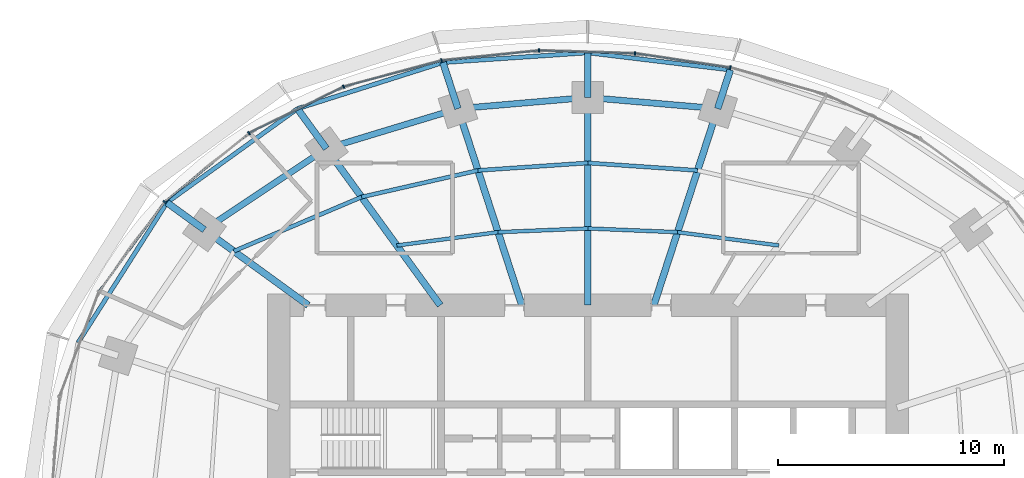
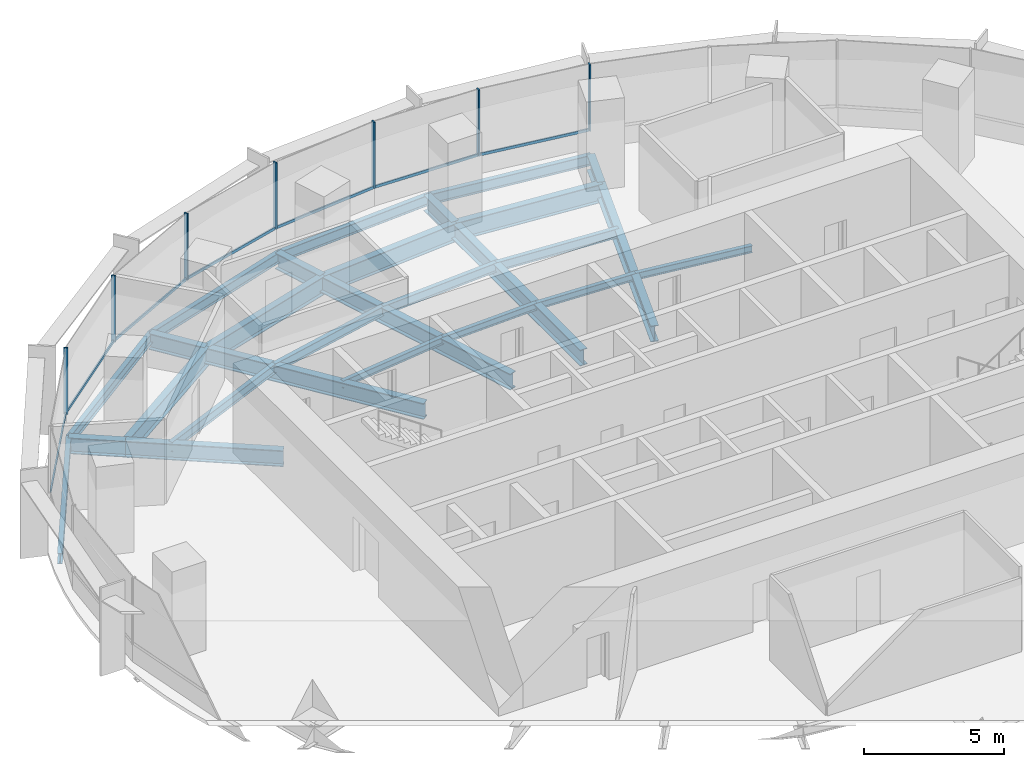
# One storey, part 7 of 14: 27 beams, 14 members, 2 elements without a shape of their own.
"""IFC4 building model written with IfcOpenShell, lengths in metres."""

from ifc_helpers import new_model, si_unit, direction, frame, origin, origin_2d, place, context, subcontext, project, spatial, rectangle, i_section, extrude, material, material_profile, profile_set, type_object, element, aggregate, save


model = new_model("IFC4")

# Units and contexts
model_context = context("Model", 3, precision=1e-05, world=origin(), true_north=direction((0.0, 1.0)))
body_context = subcontext(model_context, "Body", "Model", "MODEL_VIEW")
ifc_project = project(units=[si_unit("LENGTHUNIT", "METRE"), si_unit("AREAUNIT", "SQUARE_METRE"), si_unit("VOLUMEUNIT", "CUBIC_METRE"), si_unit("PLANEANGLEUNIT", "RADIAN"), si_unit("MASSUNIT", "GRAM", prefix="KILO")], contexts=[model_context])

# Site, building, storey
site_placement = place(None, origin())
site = spatial("IfcSite", under=ifc_project, at=site_placement, CompositionType="ELEMENT")
building_placement = place(site_placement, origin())
building = spatial("IfcBuilding", under=site, at=building_placement, Name="Marramba Exchange Tower", CompositionType="ELEMENT")
storey_placement = place(building_placement, frame((0.0, 0.0, 242.300048828125)))
storey = spatial("IfcBuildingStorey", under=building, at=storey_placement, Name="L59", CompositionType="ELEMENT", Elevation=242.300048828125)

# Beams
ifc_material_1 = material(Name="Steel AS/NZS 3679.2 grade 300", Category="steel")
ifc_material_profile_1 = material_profile(ifc_material_1, i_section(OverallWidth=0.300048828125, OverallDepth=0.699951171875, WebThickness=0.010009765625, FlangeThickness=0.031982421875, at=origin_2d()), Name="700WB173")
ifc_profile_set_1 = profile_set([ifc_material_profile_1], Name="Steel AS/NZS 3679.2 grade 300")
beam_type_1 = type_object("IfcBeamType", Name="Cantilever girder 700WB173", PredefinedType="BEAM", material=ifc_profile_set_1)
beam_1_placement = place(storey_placement, frame((5.75390625, 17.70849609375, -0.510009765625), z_axis=(0.308960771946, 0.951074782232, 0.0), x_axis=(-0.951074782232, 0.308960771946, 0.0)))
element("IfcBeam", 1, at=beam_1_placement, inside=storey, type_object=beam_type_1, Name="Cantilever girder L59 TC05", PredefinedType="BEAM", context=body_context, shape_type="SweptSolid", body=[
    extrude(i_section(OverallWidth=0.300048828125, OverallDepth=0.699951171875, WebThickness=0.010009765625, FlangeThickness=0.031982421875, at=origin_2d()), origin(), (0.0, 0.0, 1.0), 1.806396484375),
])
beam_2_placement = place(storey_placement, frame((0.0, 18.2041015625, -0.510009765625), z_axis=(0.0, 1.0, 0.0), x_axis=(-1.0, 0.0, 0.0)))
element("IfcBeam", 2, at=beam_2_placement, inside=storey, type_object=beam_type_1, Name="Cantilever girder L59 TC06", PredefinedType="BEAM", context=body_context, shape_type="SweptSolid", body=[
    extrude(i_section(OverallWidth=0.300048828125, OverallDepth=0.699951171875, WebThickness=0.010009765625, FlangeThickness=0.031982421875, at=origin_2d()), origin(), (0.0, 0.0, 1.0), 1.982177734375),
])
beam_3_placement = place(storey_placement, frame((-5.75390625, 17.70849609375, -0.510009765625), z_axis=(-0.308998798068, 0.951062428441, 0.0), x_axis=(-0.951062428441, -0.308998798068, 0.0)))
element("IfcBeam", 3, at=beam_3_placement, inside=storey, type_object=beam_type_1, Name="Cantilever girder L59 TC07", PredefinedType="BEAM", context=body_context, shape_type="SweptSolid", body=[
    extrude(i_section(OverallWidth=0.300048828125, OverallDepth=0.699951171875, WebThickness=0.010009765625, FlangeThickness=0.031982421875, at=origin_2d()), origin(), (0.0, 0.0, 1.0), 2.150634765625),
])
beam_4_placement = place(storey_placement, frame((-11.581298828125, 15.9404296875, -0.510009765625), z_axis=(-0.587832433352, 0.808982713226, 0.0), x_axis=(-0.808982713226, -0.587832433352, 0.0)))
element("IfcBeam", 4, at=beam_4_placement, inside=storey, type_object=beam_type_1, Name="Cantilever girder L59 TC08", PredefinedType="BEAM", context=body_context, shape_type="SweptSolid", body=[
    extrude(i_section(OverallWidth=0.300048828125, OverallDepth=0.699951171875, WebThickness=0.010009765625, FlangeThickness=0.031982421875, at=origin_2d()), origin(), (0.0, 0.0, 1.0), 2.1826171875),
])
beam_5_placement = place(storey_placement, frame((-16.98583984375, 12.3408203125, -0.510009765625), z_axis=(-0.808962446125, 0.587860324192, 0.0), x_axis=(-0.587860324192, -0.808962446125, 0.0)))
element("IfcBeam", 5, at=beam_5_placement, inside=storey, type_object=beam_type_1, Name="Cantilever girder L59 TC09", PredefinedType="BEAM", context=body_context, shape_type="SweptSolid", body=[
    extrude(i_section(OverallWidth=0.300048828125, OverallDepth=0.699951171875, WebThickness=0.010009765625, FlangeThickness=0.031982421875, at=origin_2d()), origin(), (0.0, 0.0, 1.0), 2.051513671875),
])
ifc_material_2 = material(Name="Steel AS/NZS 3679.1 grade 300", Category="steel")
ifc_material_profile_2 = material_profile(ifc_material_2, i_section(OverallWidth=0.166015625, OverallDepth=0.306884765625, WebThickness=0.006591796875, FlangeThickness=0.01171875, FilletRadius=0.011474609375, at=origin_2d()), Name="310UB46.2")
ifc_profile_set_2 = profile_set([ifc_material_profile_2], Name="Steel AS/NZS 3679.1 grade 300")
beam_type_2 = type_object("IfcBeamType", Name="Floor joist 310UB46.2", PredefinedType="JOIST", material=ifc_profile_set_2)
beam_6_placement = place(storey_placement, frame((8.4619140625, 11.646728515625, -0.3134765625), z_axis=(-0.991480538255, 0.130254912618, 0.0), x_axis=(-0.130254912618, -0.991480538255, 0.0)))
element("IfcBeam", 6, at=beam_6_placement, inside=storey, type_object=beam_type_2, Name="Joist L59 bay 04 row 1", PredefinedType="JOIST", context=body_context, shape_type="SweptSolid", body=[
    extrude(i_section(OverallWidth=0.166015625, OverallDepth=0.306884765625, WebThickness=0.006591796875, FlangeThickness=0.01171875, FilletRadius=0.011474609375, at=origin_2d()), origin(), (0.0, 0.0, 1.0), 4.524658203125),
])
for number, where, z_axis, x_axis, name in (
    (7, (3.975830078125, 12.236083984375, -0.3134765625), (-0.999137002892, 0.041536122257, 0.0), (-0.041536122257, -0.999137002892, 0.0), "Joist L59 bay 05 row 1"),
    (8, (0.0, 12.4013671875, -0.3134765625), (-0.999137002892, -0.041536122257, 0.0), (0.041536122257, -0.999137002892, 0.0), "Joist L59 bay 06 row 1"),
):
    element("IfcBeam", number, at=place(storey_placement, frame(where, z_axis=z_axis, x_axis=x_axis)), inside=storey, type_object=beam_type_2, Name=name, PredefinedType="JOIST", context=body_context, shape_type="SweptSolid", body=[
        extrude(i_section(OverallWidth=0.166015625, OverallDepth=0.306884765625, WebThickness=0.006591796875, FlangeThickness=0.01171875, FilletRadius=0.011474609375, at=origin_2d()), origin(), (0.0, 0.0, 1.0), 3.979248046875),
    ])
beam_7_placement = place(storey_placement, frame((-3.975830078125, 12.236083984375, -0.3134765625), z_axis=(-0.991480538255, -0.130254912618, 0.0), x_axis=(0.130254912618, -0.991480538255, 0.0)))
element("IfcBeam", 9, at=beam_7_placement, inside=storey, type_object=beam_type_2, Name="Joist L59 bay 07 row 1", PredefinedType="JOIST", context=body_context, shape_type="SweptSolid", body=[
    extrude(i_section(OverallWidth=0.166015625, OverallDepth=0.306884765625, WebThickness=0.006591796875, FlangeThickness=0.01171875, FilletRadius=0.011474609375, at=origin_2d()), origin(), (0.0, 0.0, 1.0), 4.524658203125),
])
ifc_material_profile_3 = material_profile(ifc_material_2, i_section(OverallWidth=0.177978515625, OverallDepth=0.406005859375, WebThickness=0.0078125, FlangeThickness=0.0126953125, FilletRadius=0.011474609375, at=origin_2d()), Name="410UB59.7")
ifc_profile_set_3 = profile_set([ifc_material_profile_3], Name="Steel AS/NZS 3679.1 grade 300")
beam_type_3 = type_object("IfcBeamType", Name="Floor joist 410UB59.7", PredefinedType="JOIST", material=ifc_profile_set_3)
for number, where, z_axis, x_axis, name in (
    (10, (4.86474609375, 14.972412109375, -0.363037109375), (-0.997702652202, 0.067745241816, 0.0), (-0.067745241816, -0.997702652202, 0.0), "Joist L59 bay 05 row 2"),
    (11, (0.0, 15.302734375, -0.363037109375), (-0.997702652202, -0.067745241816, 0.0), (0.067745241816, -0.997702652202, 0.0), "Joist L59 bay 06 row 2"),
):
    element("IfcBeam", number, at=place(storey_placement, frame(where, z_axis=z_axis, x_axis=x_axis)), inside=storey, type_object=beam_type_3, Name=name, PredefinedType="JOIST", context=body_context, shape_type="SweptSolid", body=[
        extrude(i_section(OverallWidth=0.177978515625, OverallDepth=0.406005859375, WebThickness=0.0078125, FlangeThickness=0.0126953125, FilletRadius=0.011474609375, at=origin_2d()), origin(), (0.0, 0.0, 1.0), 4.8759765625),
    ])
beam_8_placement = place(storey_placement, frame((-4.86474609375, 14.972412109375, -0.363037109375), z_axis=(-0.974859652292, -0.222819788916, 0.0), x_axis=(0.222819788916, -0.974859652292, 0.0)))
element("IfcBeam", 12, at=beam_8_placement, inside=storey, type_object=beam_type_3, Name="Joist L59 bay 07 row 2", PredefinedType="JOIST", context=body_context, shape_type="SweptSolid", body=[
    extrude(i_section(OverallWidth=0.177978515625, OverallDepth=0.406005859375, WebThickness=0.0078125, FlangeThickness=0.0126953125, FilletRadius=0.011474609375, at=origin_2d()), origin(), (0.0, 0.0, 1.0), 5.2900390625),
])
beam_9_placement = place(storey_placement, frame((-10.021728515625, 13.793701171875, -0.363037109375), z_axis=(-0.920674336375, -0.390331610738, 0.0), x_axis=(0.390331610738, -0.920674336375, 0.0)))
element("IfcBeam", 13, at=beam_9_placement, inside=storey, type_object=beam_type_3, Name="Joist L59 bay 08 row 2", PredefinedType="JOIST", context=body_context, shape_type="SweptSolid", body=[
    extrude(i_section(OverallWidth=0.177978515625, OverallDepth=0.406005859375, WebThickness=0.0078125, FlangeThickness=0.0126953125, FilletRadius=0.011474609375, at=origin_2d()), origin(), (0.0, 0.0, 1.0), 6.1484375),
])

# Curtain wall, members
ifc_material_3 = material(Name="Aluminium framing, bronze anodised", Category="aluminium")
curtain_wall_type = type_object("IfcCurtainWallType", Name="Office ribbon curtain wall", PredefinedType="USERDEFINED", material=ifc_material_3)
curtain_wall_1_placement = place(storey_placement, origin())
curtain_wall_1 = element("IfcCurtainWall", 14, at=curtain_wall_1_placement, inside=storey, type_object=curtain_wall_type, Name="Curtain wall CW4 L59 F06-F10", ObjectType="RIBBON CURTAIN WALL", PredefinedType="USERDEFINED")
ifc_material_4 = material(Name="Aluminium mullion, bronze anodised", Category="aluminium")
ifc_material_profile_4 = material_profile(ifc_material_4, rectangle(XDim=0.159912109375, YDim=0.06005859375, at=origin_2d()), Name="CW4 mullion 60x160")
ifc_profile_set_4 = profile_set([ifc_material_profile_4], Name="Aluminium mullion, bronze anodised")
member_type_1 = type_object("IfcMemberType", Name="Office ribbon curtain wall mullion", PredefinedType="MULLION", material=ifc_profile_set_4)
member_1_placement = place(storey_placement, frame((6.313232421875, 19.526123046875, 0.800048828125), z_axis=(0.0, 0.0, 1.0), x_axis=(-0.148794988635, -0.988868065698, 0.0)))
member_1 = element("IfcMember", 15, at=member_1_placement, type_object=member_type_1, Name="CW4 mullion 1", PredefinedType="MULLION", context=body_context, shape_type="SweptSolid", body=[
    extrude(rectangle(XDim=0.159912109375, YDim=0.06005859375, at=origin_2d()), origin(), (0.0, 0.0, 1.0), 2.89990234375),
])
member_2_placement = place(storey_placement, frame((2.088623046875, 20.158203125, 0.800048828125), z_axis=(0.0, 0.0, 1.0), x_axis=(-0.03039385249, -0.999538000143, 0.0)))
member_2 = element("IfcMember", 16, at=member_2_placement, type_object=member_type_1, Name="CW4 mullion 1", PredefinedType="MULLION", context=body_context, shape_type="SweptSolid", body=[
    extrude(rectangle(XDim=0.159912109375, YDim=0.06005859375, at=origin_2d()), origin(), (0.0, 0.0, 1.0), 2.89990234375),
])
member_3_placement = place(storey_placement, frame((-2.162109375, 20.28369140625, 0.800048828125), z_axis=(0.0, 0.0, 1.0), x_axis=(0.100862673507, -0.994900357369, 0.0)))
member_3 = element("IfcMember", 17, at=member_3_placement, type_object=member_type_1, Name="CW4 mullion 1", PredefinedType="MULLION", context=body_context, shape_type="SweptSolid", body=[
    extrude(rectangle(XDim=0.159912109375, YDim=0.06005859375, at=origin_2d()), origin(), (0.0, 0.0, 1.0), 2.89990234375),
])
member_4_placement = place(storey_placement, frame((-6.478271484375, 19.84130859375, 0.800048828125), z_axis=(0.0, 0.0, 1.0), x_axis=(0.257641223778, -0.966240653155, 0.0)))
member_4 = element("IfcMember", 18, at=member_4_placement, type_object=member_type_1, Name="CW4 mullion 1", PredefinedType="MULLION", context=body_context, shape_type="SweptSolid", body=[
    extrude(rectangle(XDim=0.159912109375, YDim=0.06005859375, at=origin_2d()), origin(), (0.0, 0.0, 1.0), 2.89990234375),
])

curtain_wall_2_placement = place(storey_placement, origin())
curtain_wall_2 = element("IfcCurtainWall", 19, at=curtain_wall_2_placement, inside=storey, type_object=curtain_wall_type, Name="Curtain wall CW4 L59 F11-F15", ObjectType="RIBBON CURTAIN WALL", PredefinedType="USERDEFINED")
member_5_placement = place(storey_placement, frame((-10.818359375, 18.677978515625, 0.800048828125), z_axis=(0.0, 0.0, 1.0), x_axis=(0.438972456661, -0.898500518805, 0.0)))
member_5 = element("IfcMember", 20, at=member_5_placement, type_object=member_type_1, Name="CW4 mullion 1", PredefinedType="MULLION", context=body_context, shape_type="SweptSolid", body=[
    extrude(rectangle(XDim=0.159912109375, YDim=0.06005859375, at=origin_2d()), origin(), (0.0, 0.0, 1.0), 2.89990234375),
])
member_6_placement = place(storey_placement, frame((-15.008056640625, 16.62353515625, 0.800048828125), z_axis=(0.0, 0.0, 1.0), x_axis=(0.630200830464, -0.776432169145, 0.0)))
member_6 = element("IfcMember", 21, at=member_6_placement, type_object=member_type_1, Name="CW4 mullion 1", PredefinedType="MULLION", context=body_context, shape_type="SweptSolid", body=[
    extrude(rectangle(XDim=0.159912109375, YDim=0.06005859375, at=origin_2d()), origin(), (0.0, 0.0, 1.0), 2.89990234375),
])
member_7_placement = place(storey_placement, frame((-18.744140625, 13.581298828125, 0.800048828125), z_axis=(0.0, 0.0, 1.0), x_axis=(0.805965197024, -0.591962922138, 0.0)))
member_7 = element("IfcMember", 22, at=member_7_placement, type_object=member_type_1, Name="CW4 mullion 1", PredefinedType="MULLION", context=body_context, shape_type="SweptSolid", body=[
    extrude(rectangle(XDim=0.159912109375, YDim=0.06005859375, at=origin_2d()), origin(), (0.0, 0.0, 1.0), 2.89990234375),
])

# Member
ifc_material_5 = material(Name="Aluminium transom, bronze anodised", Category="aluminium")
ifc_material_profile_5 = material_profile(ifc_material_5, rectangle(XDim=0.06005859375, YDim=0.1201171875, at=origin_2d()), Name="CW4 transom 60x120")
ifc_profile_set_5 = profile_set([ifc_material_profile_5], Name="Aluminium transom, bronze anodised")
member_type_2 = type_object("IfcMemberType", Name="Office ribbon curtain wall transom", PredefinedType="USERDEFINED", material=ifc_profile_set_5)
member_8_placement = place(storey_placement, frame((6.28369140625, 19.53076171875, 0.829833984375), z_axis=(-0.988868222508, 0.148793946493, 0.0), x_axis=(-0.148793946493, -0.988868222508, 0.0)))
member_8 = element("IfcMember", 23, at=member_8_placement, type_object=member_type_2, Name="CW4 sill transom", ObjectType="TRANSOM", PredefinedType="USERDEFINED", context=body_context, shape_type="SweptSolid", body=[
    extrude(rectangle(XDim=0.06005859375, YDim=0.1201171875, at=origin_2d()), origin(), (0.0, 0.0, 1.0), 4.2119140625),
])

member_9_placement = place(storey_placement, frame((2.05859375, 20.1591796875, 0.829833984375), z_axis=(-0.99953796835, 0.030394898024, 0.0), x_axis=(-0.030394898024, -0.99953796835, 0.0)))
member_9 = element("IfcMember", 24, at=member_9_placement, type_object=member_type_2, Name="CW4 sill transom", ObjectType="TRANSOM", PredefinedType="USERDEFINED", context=body_context, shape_type="SweptSolid", body=[
    extrude(rectangle(XDim=0.06005859375, YDim=0.1201171875, at=origin_2d()), origin(), (0.0, 0.0, 1.0), 4.19287109375),
])

member_10_placement = place(storey_placement, frame((-2.19189453125, 20.280517578125, 0.829833984375), z_axis=(-0.99489954864, -0.100870650418, 0.0), x_axis=(0.100870650418, -0.99489954864, 0.0)))
member_10 = element("IfcMember", 25, at=member_10_placement, type_object=member_type_2, Name="CW4 sill transom", ObjectType="TRANSOM", PredefinedType="USERDEFINED", context=body_context, shape_type="SweptSolid", body=[
    extrude(rectangle(XDim=0.06005859375, YDim=0.1201171875, at=origin_2d()), origin(), (0.0, 0.0, 1.0), 4.279052734375),
])

member_11_placement = place(storey_placement, frame((-6.50732421875, 19.83349609375, 0.829833984375), z_axis=(-0.966237681407, -0.25765236857, 0.0), x_axis=(0.25765236857, -0.966237681407, 0.0)))
member_11 = element("IfcMember", 26, at=member_11_placement, type_object=member_type_2, Name="CW4 sill transom", ObjectType="TRANSOM", PredefinedType="USERDEFINED", context=body_context, shape_type="SweptSolid", body=[
    extrude(rectangle(XDim=0.06005859375, YDim=0.1201171875, at=origin_2d()), origin(), (0.0, 0.0, 1.0), 4.43359375),
])

aggregate(curtain_wall_1, [member_1, member_8, member_2, member_9, member_3, member_10, member_4, member_11])

member_12_placement = place(storey_placement, frame((-10.84521484375, 18.664794921875, 0.829833984375), z_axis=(-0.898501418486, -0.438970615165, 0.0), x_axis=(0.438970615165, -0.898501418486, 0.0)))
member_12 = element("IfcMember", 27, at=member_12_placement, type_object=member_type_2, Name="CW4 sill transom", ObjectType="TRANSOM", PredefinedType="USERDEFINED", context=body_context, shape_type="SweptSolid", body=[
    extrude(rectangle(XDim=0.06005859375, YDim=0.1201171875, at=origin_2d()), origin(), (0.0, 0.0, 1.0), 4.607177734375),
])

member_13_placement = place(storey_placement, frame((-15.031494140625, 16.6044921875, 0.829833984375), z_axis=(-0.776424623019, -0.630210127473, 0.0), x_axis=(0.630210127473, -0.776424623019, 0.0)))
member_13 = element("IfcMember", 28, at=member_13_placement, type_object=member_type_2, Name="CW4 sill transom", ObjectType="TRANSOM", PredefinedType="USERDEFINED", context=body_context, shape_type="SweptSolid", body=[
    extrude(rectangle(XDim=0.06005859375, YDim=0.1201171875, at=origin_2d()), origin(), (0.0, 0.0, 1.0), 4.7587890625),
])

member_14_placement = place(storey_placement, frame((-18.761962890625, 13.55712890625, 0.829833984375), z_axis=(-0.591957380483, -0.805969267213, 0.0), x_axis=(0.805969267213, -0.591957380483, 0.0)))
member_14 = element("IfcMember", 29, at=member_14_placement, type_object=member_type_2, Name="CW4 sill transom", ObjectType="TRANSOM", PredefinedType="USERDEFINED", context=body_context, shape_type="SweptSolid", body=[
    extrude(rectangle(XDim=0.06005859375, YDim=0.1201171875, at=origin_2d()), origin(), (0.0, 0.0, 1.0), 4.865478515625),
])

aggregate(curtain_wall_2, [member_5, member_12, member_6, member_13, member_7, member_14])

# Beams
ifc_material_profile_6 = material_profile(ifc_material_1, i_section(OverallWidth=0.300048828125, OverallDepth=0.699951171875, WebThickness=0.010009765625, FlangeThickness=0.031982421875, at=origin_2d()), Name="700WB173")
ifc_profile_set_6 = profile_set([ifc_material_profile_6], Name="Steel AS/NZS 3679.2 grade 300")
beam_type_4 = type_object("IfcBeamType", Name="Radial girder 700WB173", PredefinedType="BEAM", material=ifc_profile_set_6)
beam_10_placement = place(storey_placement, frame((2.92431640625, 9.0, -0.510009765625), z_axis=(0.309019754162, 0.951055619582, 0.0), x_axis=(-0.951055619582, 0.309019754162, 0.0)))
element("IfcBeam", 30, at=beam_10_placement, inside=storey, type_object=beam_type_4, Name="Radial girder L59 TC05", PredefinedType="BEAM", context=body_context, shape_type="SweptSolid", body=[
    extrude(i_section(OverallWidth=0.300048828125, OverallDepth=0.699951171875, WebThickness=0.010009765625, FlangeThickness=0.031982421875, at=origin_2d()), origin(), (0.0, 0.0, 1.0), 9.15673828125),
])
beam_11_placement = place(storey_placement, frame((0.0, 9.0, -0.510009765625), z_axis=(0.0, 1.0, 0.0), x_axis=(-1.0, 0.0, 0.0)))
element("IfcBeam", 31, at=beam_11_placement, inside=storey, type_object=beam_type_4, Name="Radial girder L59 TC06", PredefinedType="BEAM", context=body_context, shape_type="SweptSolid", body=[
    extrude(i_section(OverallWidth=0.300048828125, OverallDepth=0.699951171875, WebThickness=0.010009765625, FlangeThickness=0.031982421875, at=origin_2d()), origin(), (0.0, 0.0, 1.0), 9.2041015625),
])
beam_12_placement = place(storey_placement, frame((-2.92431640625, 9.0, -0.510009765625), z_axis=(-0.309019754162, 0.951055619582, 0.0), x_axis=(-0.951055619582, -0.309019754162, 0.0)))
element("IfcBeam", 32, at=beam_12_placement, inside=storey, type_object=beam_type_4, Name="Radial girder L59 TC07", PredefinedType="BEAM", context=body_context, shape_type="SweptSolid", body=[
    extrude(i_section(OverallWidth=0.300048828125, OverallDepth=0.699951171875, WebThickness=0.010009765625, FlangeThickness=0.031982421875, at=origin_2d()), origin(), (0.0, 0.0, 1.0), 9.15673828125),
])
beam_13_placement = place(storey_placement, frame((-6.538818359375, 9.0, -0.510009765625), z_axis=(-0.587782439969, 0.80901903764, 0.0), x_axis=(-0.80901903764, -0.587782439969, 0.0)))
element("IfcBeam", 33, at=beam_13_placement, inside=storey, type_object=beam_type_4, Name="Radial girder L59 TC08", PredefinedType="BEAM", context=body_context, shape_type="SweptSolid", body=[
    extrude(i_section(OverallWidth=0.300048828125, OverallDepth=0.699951171875, WebThickness=0.010009765625, FlangeThickness=0.031982421875, at=origin_2d()), origin(), (0.0, 0.0, 1.0), 8.578857421875),
])
beam_14_placement = place(storey_placement, frame((-12.387451171875, 9.0, -0.510009765625), z_axis=(-0.809025746925, 0.587773205252, 0.0), x_axis=(-0.587773205252, -0.809025746925, 0.0)))
element("IfcBeam", 34, at=beam_14_placement, inside=storey, type_object=beam_type_4, Name="Radial girder L59 TC09", PredefinedType="BEAM", context=body_context, shape_type="SweptSolid", body=[
    extrude(i_section(OverallWidth=0.300048828125, OverallDepth=0.699951171875, WebThickness=0.010009765625, FlangeThickness=0.031982421875, at=origin_2d()), origin(), (0.0, 0.0, 1.0), 5.683837890625),
])
ifc_material_profile_7 = material_profile(ifc_material_1, i_section(OverallWidth=0.27490234375, OverallDepth=0.800048828125, WebThickness=0.010009765625, FlangeThickness=0.02490234375, at=origin_2d()), Name="800WB168")
ifc_profile_set_7 = profile_set([ifc_material_profile_7], Name="Steel AS/NZS 3679.2 grade 300")
beam_type_5 = type_object("IfcBeamType", Name="Ring beam 800WB168", PredefinedType="SPANDREL", material=ifc_profile_set_7)
for number, where, z_axis, x_axis, name in (
    (35, (5.75390625, 17.70849609375, -0.56005859375), (-0.996311003275, 0.085815993578, 0.0), (-0.085815993578, -0.996311003275, 0.0), "Ring beam L59 TC05-TC06"),
    (36, (0.0, 18.2041015625, -0.56005859375), (-0.996311003275, -0.085815993578, 0.0), (0.085815993578, -0.996311003275, 0.0), "Ring beam L59 TC06-TC07"),
):
    element("IfcBeam", number, at=place(storey_placement, frame(where, z_axis=z_axis, x_axis=x_axis)), inside=storey, type_object=beam_type_5, Name=name, PredefinedType="SPANDREL", context=body_context, shape_type="SweptSolid", body=[
        extrude(i_section(OverallWidth=0.27490234375, OverallDepth=0.800048828125, WebThickness=0.010009765625, FlangeThickness=0.02490234375, at=origin_2d()), origin(), (0.0, 0.0, 1.0), 5.775146484375),
    ])
beam_15_placement = place(storey_placement, frame((-5.75390625, 17.70849609375, -0.56005859375), z_axis=(-0.956924542524, -0.290336735387, 0.0), x_axis=(0.290336735387, -0.956924542524, 0.0)))
element("IfcBeam", 37, at=beam_15_placement, inside=storey, type_object=beam_type_5, Name="Ring beam L59 TC07-TC08", PredefinedType="SPANDREL", context=body_context, shape_type="SweptSolid", body=[
    extrude(i_section(OverallWidth=0.27490234375, OverallDepth=0.800048828125, WebThickness=0.010009765625, FlangeThickness=0.02490234375, at=origin_2d()), origin(), (0.0, 0.0, 1.0), 6.089599609375),
])
beam_16_placement = place(storey_placement, frame((-11.581298828125, 15.9404296875, -0.56005859375), z_axis=(-0.832293151443, -0.554335737673, 0.0), x_axis=(0.554335737673, -0.832293151443, 0.0)))
element("IfcBeam", 38, at=beam_16_placement, inside=storey, type_object=beam_type_5, Name="Ring beam L59 TC08-TC09", PredefinedType="SPANDREL", context=body_context, shape_type="SweptSolid", body=[
    extrude(i_section(OverallWidth=0.27490234375, OverallDepth=0.800048828125, WebThickness=0.010009765625, FlangeThickness=0.02490234375, at=origin_2d()), origin(), (0.0, 0.0, 1.0), 6.49365234375),
])
ifc_material_profile_8 = material_profile(ifc_material_2, i_section(OverallWidth=0.19091796875, OverallDepth=0.4599609375, WebThickness=0.010009765625, FlangeThickness=0.01611328125, FilletRadius=0.011474609375, at=origin_2d()), Name="460UB82.1")
ifc_profile_set_8 = profile_set([ifc_material_profile_8], Name="Steel AS/NZS 3679.1 grade 300")
beam_type_6 = type_object("IfcBeamType", Name="Slab edge beam 460UB82.1", PredefinedType="SPANDREL", material=ifc_profile_set_8)
beam_17_placement = place(storey_placement, frame((6.31201171875, 19.426513671875, -0.39013671875), z_axis=(-0.992833525914, 0.119505605811, 0.0), x_axis=(-0.119505605811, -0.992833525914, 0.0)))
element("IfcBeam", 39, at=beam_17_placement, inside=storey, type_object=beam_type_6, Name="Slab edge beam L59 TC05-TC06", PredefinedType="SPANDREL", context=body_context, shape_type="SweptSolid", body=[
    extrude(i_section(OverallWidth=0.19091796875, OverallDepth=0.4599609375, WebThickness=0.010009765625, FlangeThickness=0.01611328125, FilletRadius=0.011474609375, at=origin_2d()), origin(), (0.0, 0.0, 1.0), 6.357666015625),
])
beam_18_placement = place(storey_placement, frame((0.0, 20.186279296875, -0.39013671875), z_axis=(-0.997738737775, -0.06721168903, 0.0), x_axis=(0.06721168903, -0.997738737775, 0.0)))
element("IfcBeam", 40, at=beam_18_placement, inside=storey, type_object=beam_type_6, Name="Slab edge beam L59 TC06-TC07", PredefinedType="SPANDREL", context=body_context, shape_type="SweptSolid", body=[
    extrude(i_section(OverallWidth=0.19091796875, OverallDepth=0.4599609375, WebThickness=0.010009765625, FlangeThickness=0.01611328125, FilletRadius=0.011474609375, at=origin_2d()), origin(), (0.0, 0.0, 1.0), 6.43310546875),
])
beam_19_placement = place(storey_placement, frame((-6.41845703125, 19.75390625, -0.39013671875), z_axis=(-0.953057484675, -0.302789416766, 0.0), x_axis=(0.302789416766, -0.953057484675, 0.0)))
element("IfcBeam", 41, at=beam_19_placement, inside=storey, type_object=beam_type_6, Name="Slab edge beam L59 TC07-TC08", PredefinedType="SPANDREL", context=body_context, shape_type="SweptSolid", body=[
    extrude(i_section(OverallWidth=0.19091796875, OverallDepth=0.4599609375, WebThickness=0.010009765625, FlangeThickness=0.01611328125, FilletRadius=0.011474609375, at=origin_2d()), origin(), (0.0, 0.0, 1.0), 6.76318359375),
])
beam_20_placement = place(storey_placement, frame((-12.8642578125, 17.7060546875, -0.39013671875), z_axis=(-0.811755352788, -0.583997643163, 0.0), x_axis=(0.583997643163, -0.811755352788, 0.0)))
element("IfcBeam", 42, at=beam_20_placement, inside=storey, type_object=beam_type_6, Name="Slab edge beam L59 TC08-TC09", PredefinedType="SPANDREL", context=body_context, shape_type="SweptSolid", body=[
    extrude(i_section(OverallWidth=0.19091796875, OverallDepth=0.4599609375, WebThickness=0.010009765625, FlangeThickness=0.01611328125, FilletRadius=0.011474609375, at=origin_2d()), origin(), (0.0, 0.0, 1.0), 7.121826171875),
])
beam_21_placement = place(storey_placement, frame((-18.6455078125, 13.546875, -0.39013671875), z_axis=(-0.535794396634, -0.844348485245, 0.0), x_axis=(0.844348485245, -0.535794396634, 0.0)))
element("IfcBeam", 43, at=beam_21_placement, inside=storey, type_object=beam_type_6, Name="Slab edge beam L59 TC09-TC10", PredefinedType="SPANDREL", context=body_context, shape_type="SweptSolid", body=[
    extrude(i_section(OverallWidth=0.19091796875, OverallDepth=0.4599609375, WebThickness=0.010009765625, FlangeThickness=0.01611328125, FilletRadius=0.011474609375, at=origin_2d()), origin(), (0.0, 0.0, 1.0), 7.35302734375),
])

save(model, "model.ifc")
